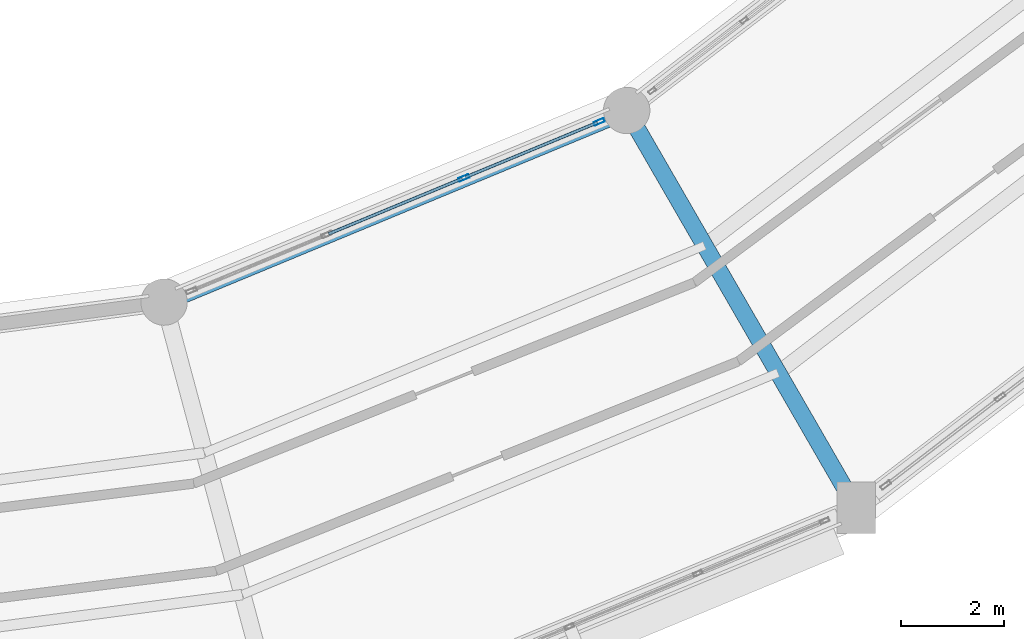
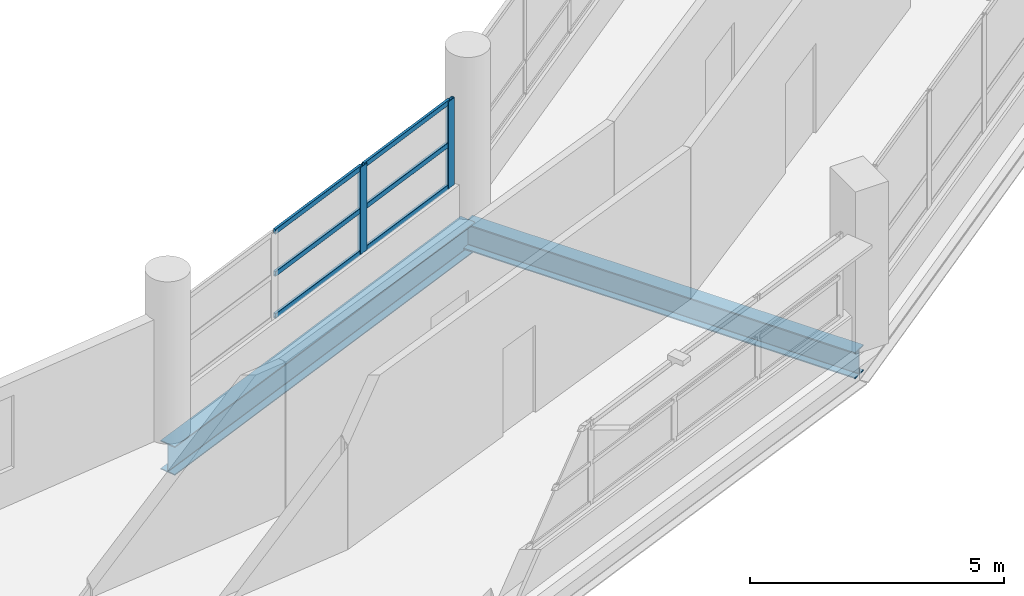
# One storey, part 26 of 88: 8 members, 2 beams, 1 element without a shape of its own.
"""IFC4 building model written with IfcOpenShell, lengths in metres."""

from ifc_helpers import new_model, si_unit, direction, frame, origin, origin_2d, place, context, subcontext, project, spatial, hollow_rectangle, i_section, extrude, material, layer, layer_set, material_profile, profile_set, type_object, element, aggregate, save


model = new_model("IFC4")

# Units and contexts
model_context = context("Model", 3, precision=1e-05, world=origin(), true_north=direction((0.0, 1.0)))
body_context = subcontext(model_context, "Body", "Model", "MODEL_VIEW")
ifc_project = project(units=[si_unit("LENGTHUNIT", "METRE"), si_unit("AREAUNIT", "SQUARE_METRE"), si_unit("VOLUMEUNIT", "CUBIC_METRE"), si_unit("PLANEANGLEUNIT", "RADIAN"), si_unit("MASSUNIT", "GRAM", prefix="KILO")], contexts=[model_context])

# Site, building, storey
site_placement = place(None, origin())
site = spatial("IfcSite", under=ifc_project, at=site_placement, CompositionType="ELEMENT")
building_placement = place(site_placement, origin())
building = spatial("IfcBuilding", under=site, at=building_placement, Name="Vespera Passage Community Centre", CompositionType="ELEMENT")
storey_placement = place(building_placement, frame((0.0, 0.0, 16.5)))
storey = spatial("IfcBuildingStorey", under=building, at=storey_placement, Name="L04", CompositionType="ELEMENT", Elevation=16.5)

# Beams
ifc_material_1 = material(Name="Steel ASTM A992 Grade 50", Category="steel")
ifc_material_profile_1 = material_profile(ifc_material_1, i_section(OverallWidth=0.32763671875, OverallDepth=0.62841796875, WebThickness=0.0166015625, FlangeThickness=0.027587890625, FilletRadius=0.0126953125, at=origin_2d()), Name="W24X146")
ifc_profile_set_1 = profile_set([ifc_material_profile_1], Name="Steel ASTM A992 Grade 50")
beam_type_1 = type_object("IfcBeamType", Name="BM-G-W24X146", PredefinedType="BEAM", material=ifc_profile_set_1)
beam_1_placement = place(storey_placement, frame((96.60009765625, 33.283935546875, -0.6142578125), z_axis=(0.499989191739, -0.866031643847, 0.0), x_axis=(0.866031643847, 0.499989191739, 0.0)))
element("IfcBeam", 1, at=beam_1_placement, inside=storey, type_object=beam_type_1, Name="V4 L04 Radial Girder 20", PredefinedType="BEAM", context=body_context, shape_type="SweptSolid", body=[
    extrude(i_section(OverallWidth=0.32763671875, OverallDepth=0.62841796875, WebThickness=0.0166015625, FlangeThickness=0.027587890625, FilletRadius=0.0126953125, at=origin_2d()), origin(), (0.0, 0.0, 1.0), 8.900146484375),
])
ifc_material_2 = material(Name="Steel ASTM A992 Grade 50", Category="steel")
ifc_material_profile_2 = material_profile(ifc_material_2, i_section(OverallWidth=0.3544921875, OverallDepth=0.695556640625, WebThickness=0.015380859375, FlangeThickness=0.024658203125, FilletRadius=0.01513671875, at=origin_2d()), Name="W27X146")
ifc_profile_set_2 = profile_set([ifc_material_profile_2], Name="Steel ASTM A992 Grade 50")
beam_type_2 = type_object("IfcBeamType", Name="BM-SP-W27X146E", PredefinedType="SPANDREL", material=ifc_profile_set_2)
beam_2_placement = place(storey_placement, frame((87.628173828125, 29.567626953125, -0.647705078125), z_axis=(0.923878947685, 0.382684844258, 0.0), x_axis=(-0.382684844258, 0.923878947685, 0.0)))
element("IfcBeam", 2, at=beam_2_placement, inside=storey, type_object=beam_type_2, Name="V4 L04 Inner Spandrel 19", PredefinedType="SPANDREL", context=body_context, shape_type="SweptSolid", body=[
    extrude(i_section(OverallWidth=0.3544921875, OverallDepth=0.695556640625, WebThickness=0.015380859375, FlangeThickness=0.024658203125, FilletRadius=0.01513671875, at=origin_2d()), origin(), (0.0, 0.0, 1.0), 9.711181640625),
])

# Curtain wall, members
ifc_material_3 = material(Name="Anodized aluminium 6063-T6", Category="aluminium")
ifc_layer = layer(ifc_material_3, 0.159912109375)
ifc_layer_set = layer_set([ifc_layer], Name="Anodized aluminium 6063-T6")
curtain_wall_type = type_object("IfcCurtainWallType", Name="CW-56E", PredefinedType="NOTDEFINED", material=ifc_layer_set)
curtain_wall_placement = place(storey_placement, origin())
curtain_wall = element("IfcCurtainWall", 3, at=curtain_wall_placement, inside=storey, type_object=curtain_wall_type, Name="V4 L04 Inner Court Curtain Wall 19", PredefinedType="NOTDEFINED")
ifc_material_4 = material(Name="Anodized aluminium 6063-T6", Category="aluminium")
ifc_material_profile_3 = material_profile(ifc_material_4, hollow_rectangle(XDim=0.074951171875, YDim=0.2099609375, WallThickness=0.0048828125, InnerFilletRadius=0.00244140625, OuterFilletRadius=0.0048828125, at=origin_2d()), Name="ALU210X75X5")
ifc_profile_set_3 = profile_set([ifc_material_profile_3], Name="Anodized aluminium 6063-T6")
member_type_1 = type_object("IfcMemberType", Name="MB-CWM-210E", PredefinedType="MULLION", material=ifc_profile_set_3)
member_1_placement = place(storey_placement, frame((93.443115234375, 31.976318359375, 0.820068359375), z_axis=(0.0, 0.0, 1.0), x_axis=(-0.382690463482, 0.923876620096, 0.0)))
member_1 = element("IfcMember", 4, at=member_1_placement, type_object=member_type_1, Name="CW-56E mullion 3", PredefinedType="MULLION", context=body_context, shape_type="SweptSolid", body=[
    extrude(hollow_rectangle(XDim=0.074951171875, YDim=0.2099609375, WallThickness=0.0048828125, InnerFilletRadius=0.00244140625, OuterFilletRadius=0.0048828125, at=origin_2d()), origin(), (0.0, 0.0, 1.0), 2.08935546875),
])
member_2_placement = place(storey_placement, frame((96.066650390625, 33.06298828125, 0.820068359375), z_axis=(0.0, 0.0, 1.0), x_axis=(-0.382690463482, 0.923876620096, 0.0)))
member_2 = element("IfcMember", 5, at=member_2_placement, type_object=member_type_1, Name="CW-56E mullion 4", PredefinedType="MULLION", context=body_context, shape_type="SweptSolid", body=[
    extrude(hollow_rectangle(XDim=0.074951171875, YDim=0.2099609375, WallThickness=0.0048828125, InnerFilletRadius=0.00244140625, OuterFilletRadius=0.0048828125, at=origin_2d()), origin(), (0.0, 0.0, 1.0), 2.08935546875),
])
ifc_material_5 = material(Name="Anodized aluminium 6063-T6", Category="aluminium")
ifc_material_profile_4 = material_profile(ifc_material_5, hollow_rectangle(XDim=0.06005859375, YDim=0.1201171875, WallThickness=0.00390625, InnerFilletRadius=0.001953125, OuterFilletRadius=0.00390625, at=origin_2d()), Name="ALU120X60X4")
ifc_profile_set_4 = profile_set([ifc_material_profile_4], Name="Anodized aluminium 6063-T6")
member_type_2 = type_object("IfcMemberType", Name="MB-CWT-120E", PredefinedType="USERDEFINED", material=ifc_profile_set_4)
member_3_placement = place(storey_placement, frame((90.819580078125, 30.8896484375, 0.85009765625), z_axis=(0.923889408399, 0.382659588994, 0.0), x_axis=(-0.382659588994, 0.923889408399, 0.0)))
member_3 = element("IfcMember", 6, at=member_3_placement, type_object=member_type_2, Name="CW-56E transom 2.1", ObjectType="TRANSOM", PredefinedType="USERDEFINED", context=body_context, shape_type="SweptSolid", body=[
    extrude(hollow_rectangle(XDim=0.06005859375, YDim=0.1201171875, WallThickness=0.00390625, InnerFilletRadius=0.001953125, OuterFilletRadius=0.00390625, at=origin_2d()), origin(), (0.0, 0.0, 1.0), 2.80224609375),
])
member_4_placement = place(storey_placement, frame((90.819580078125, 30.8896484375, 1.86474609375), z_axis=(0.923889408399, 0.382659588994, 0.0), x_axis=(-0.382659588994, 0.923889408399, 0.0)))
member_4 = element("IfcMember", 7, at=member_4_placement, type_object=member_type_2, Name="CW-56E transom 2.2", ObjectType="TRANSOM", PredefinedType="USERDEFINED", context=body_context, shape_type="SweptSolid", body=[
    extrude(hollow_rectangle(XDim=0.06005859375, YDim=0.1201171875, WallThickness=0.00390625, InnerFilletRadius=0.001953125, OuterFilletRadius=0.00390625, at=origin_2d()), origin(), (0.0, 0.0, 1.0), 2.80224609375),
])
member_5_placement = place(storey_placement, frame((90.819580078125, 30.8896484375, 2.87939453125), z_axis=(0.923889408399, 0.382659588994, 0.0), x_axis=(-0.382659588994, 0.923889408399, 0.0)))
member_5 = element("IfcMember", 8, at=member_5_placement, type_object=member_type_2, Name="CW-56E transom 2.3", ObjectType="TRANSOM", PredefinedType="USERDEFINED", context=body_context, shape_type="SweptSolid", body=[
    extrude(hollow_rectangle(XDim=0.06005859375, YDim=0.1201171875, WallThickness=0.00390625, InnerFilletRadius=0.001953125, OuterFilletRadius=0.00390625, at=origin_2d()), origin(), (0.0, 0.0, 1.0), 2.80224609375),
])
member_6_placement = place(storey_placement, frame((93.477783203125, 31.99072265625, 0.85009765625), z_axis=(0.923908142805, 0.382614353701, 0.0), x_axis=(-0.382614353701, 0.923908142805, 0.0)))
member_6 = element("IfcMember", 9, at=member_6_placement, type_object=member_type_2, Name="CW-56E transom 3.1", ObjectType="TRANSOM", PredefinedType="USERDEFINED", context=body_context, shape_type="SweptSolid", body=[
    extrude(hollow_rectangle(XDim=0.06005859375, YDim=0.1201171875, WallThickness=0.00390625, InnerFilletRadius=0.001953125, OuterFilletRadius=0.00390625, at=origin_2d()), origin(), (0.0, 0.0, 1.0), 2.764892578125),
])
member_7_placement = place(storey_placement, frame((93.477783203125, 31.99072265625, 1.86474609375), z_axis=(0.923908142805, 0.382614353701, 0.0), x_axis=(-0.382614353701, 0.923908142805, 0.0)))
member_7 = element("IfcMember", 10, at=member_7_placement, type_object=member_type_2, Name="CW-56E transom 3.2", ObjectType="TRANSOM", PredefinedType="USERDEFINED", context=body_context, shape_type="SweptSolid", body=[
    extrude(hollow_rectangle(XDim=0.06005859375, YDim=0.1201171875, WallThickness=0.00390625, InnerFilletRadius=0.001953125, OuterFilletRadius=0.00390625, at=origin_2d()), origin(), (0.0, 0.0, 1.0), 2.764892578125),
])
member_8_placement = place(storey_placement, frame((93.477783203125, 31.99072265625, 2.87939453125), z_axis=(0.923908142805, 0.382614353701, 0.0), x_axis=(-0.382614353701, 0.923908142805, 0.0)))
member_8 = element("IfcMember", 11, at=member_8_placement, type_object=member_type_2, Name="CW-56E transom 3.3", ObjectType="TRANSOM", PredefinedType="USERDEFINED", context=body_context, shape_type="SweptSolid", body=[
    extrude(hollow_rectangle(XDim=0.06005859375, YDim=0.1201171875, WallThickness=0.00390625, InnerFilletRadius=0.001953125, OuterFilletRadius=0.00390625, at=origin_2d()), origin(), (0.0, 0.0, 1.0), 2.764892578125),
])
aggregate(curtain_wall, [member_1, member_2, member_3, member_4, member_5, member_6, member_7, member_8])

save(model, "model.ifc")
